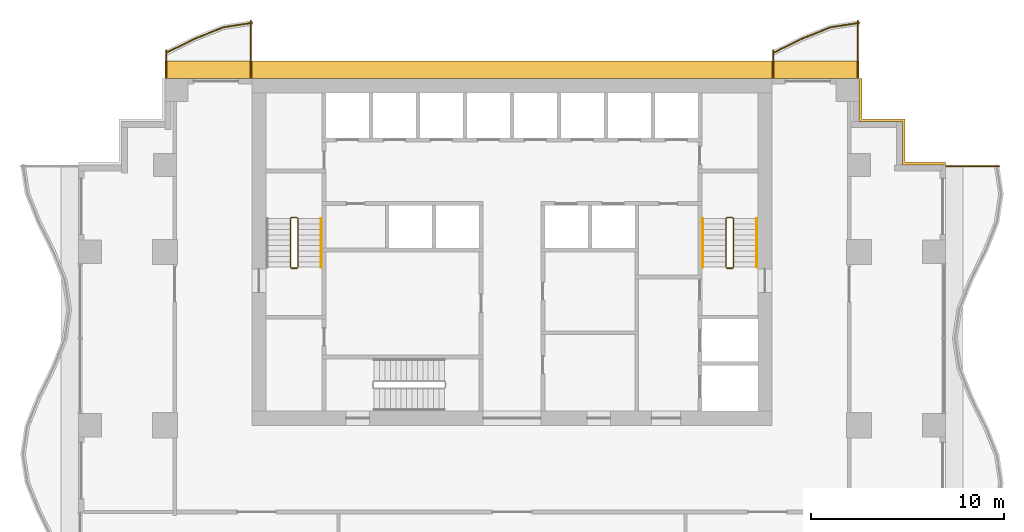
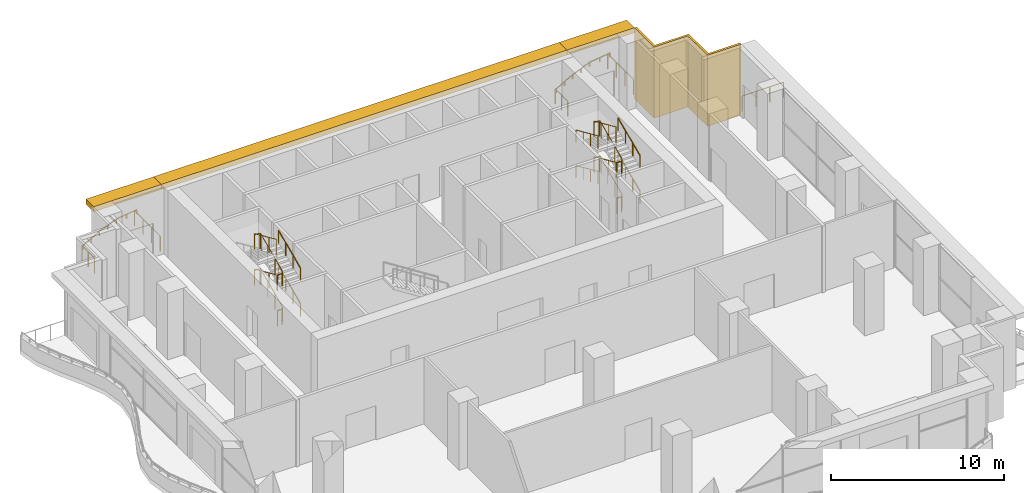
# One storey, part 14 of 14: 21 railings, 4 shading devices.
"""IFC4 building model written with IfcOpenShell, lengths in metres."""

from ifc_helpers import new_model, si_unit, direction, frame, origin, origin_2d, place, context, subcontext, project, spatial, polyline, rectangle, circle, outline, extrude, material, layer, layer_set, type_object, element, save


model = new_model("IFC4")

# Units and contexts
model_context = context("Model", 3, precision=1e-05, world=origin(), true_north=direction((0.0, 1.0)))
body_context = subcontext(model_context, "Body", "Model", "MODEL_VIEW")
ifc_project = project(units=[si_unit("LENGTHUNIT", "METRE"), si_unit("AREAUNIT", "SQUARE_METRE"), si_unit("VOLUMEUNIT", "CUBIC_METRE"), si_unit("PLANEANGLEUNIT", "RADIAN"), si_unit("MASSUNIT", "GRAM", prefix="KILO")], contexts=[model_context])

# Site, building, storey
site_placement = place(None, origin())
site = spatial("IfcSite", under=ifc_project, at=site_placement, CompositionType="ELEMENT")
building_placement = place(site_placement, origin())
building = spatial("IfcBuilding", under=site, at=building_placement, Name="Orbiselva Terraces", CompositionType="ELEMENT")
storey_placement = place(building_placement, frame((0.0, 0.0, 120.0)))
storey = spatial("IfcBuildingStorey", under=building, at=storey_placement, Name="L30", CompositionType="ELEMENT", Elevation=120.0)

# Railings
ifc_material_1 = material(Name="Stainless steel", Category="steel")
railing_type_1 = type_object("IfcRailingType", Name="CORE-GUARD-1100", PredefinedType="GUARDRAIL", material=ifc_material_1)
railing_1_placement = place(storey_placement, frame((-11.1, 12.7, 0.125)))
element("IfcRailing", 1, at=railing_1_placement, inside=storey, type_object=railing_type_1, Name="L30 S1 stair guard 1", PredefinedType="GUARDRAIL", context=body_context, shape_type="SweptSolid", body=[
    extrude(circle(Radius=0.024, at=origin_2d()), frame((0.0, 0.0, 1.081), z_axis=(0.0, 0.913137882438, 0.407650840374), x_axis=(-1.0, 0.0, 0.0)), (0.0, 0.0, 1.0), 2.759715),
    extrude(circle(Radius=0.024, at=origin_2d()), frame((0.0, 2.52, 2.206), z_axis=(-0.707106781187, 0.707106781187, 0.0), x_axis=(-0.707106781187, -0.707106781187, 0.0)), (0.0, 0.0, 1.0), 0.070711),
    extrude(circle(Radius=0.024, at=origin_2d()), frame((-0.05, 2.57, 2.206), z_axis=(-1.0, 0.0, 0.0), x_axis=(0.0, -1.0, 0.0)), (0.0, 0.0, 1.0), 0.3),
    extrude(circle(Radius=0.024, at=origin_2d()), frame((-0.35, 2.57, 2.206), z_axis=(-0.348155311911, -0.348155311911, 0.870388279778), x_axis=(0.707106781187, -0.707106781187, 0.0)), (0.0, 0.0, 1.0), 0.143614),
    extrude(circle(Radius=0.024, at=origin_2d()), frame((-0.4, 2.52, 2.331), z_axis=(0.0, -0.913137882438, 0.407650840374), x_axis=(1.0, 0.0, 0.0)), (0.0, 0.0, 1.0), 2.759715),
    extrude(circle(Radius=0.021, at=origin_2d()), origin(), (0.0, 0.0, 1.0), 1.057),
    extrude(circle(Radius=0.021, at=origin_2d()), frame((0.0, 0.84, 0.375)), (0.0, 0.0, 1.0), 1.057),
    extrude(circle(Radius=0.021, at=origin_2d()), frame((0.0, 1.68, 0.75)), (0.0, 0.0, 1.0), 1.057),
    extrude(circle(Radius=0.021, at=origin_2d()), frame((0.0, 2.52, 1.125)), (0.0, 0.0, 1.0), 1.057),
    extrude(circle(Radius=0.021, at=origin_2d()), frame((-0.05, 2.57, 1.125)), (0.0, 0.0, 1.0), 1.057),
    extrude(circle(Radius=0.021, at=origin_2d()), frame((-0.35, 2.57, 1.125)), (0.0, 0.0, 1.0), 1.057),
    extrude(circle(Radius=0.021, at=origin_2d()), frame((-0.4, 2.52, 1.25)), (0.0, 0.0, 1.0), 1.057),
    extrude(circle(Radius=0.021, at=origin_2d()), frame((-0.4, 1.68, 1.625)), (0.0, 0.0, 1.0), 1.057),
    extrude(circle(Radius=0.021, at=origin_2d()), frame((-0.4, 0.84, 2.0)), (0.0, 0.0, 1.0), 1.057),
    extrude(circle(Radius=0.021, at=origin_2d()), frame((-0.4, 0.0, 2.375)), (0.0, 0.0, 1.0), 1.057),
])
railing_2_placement = place(storey_placement, frame((-11.15, 12.65, 2.5)))
element("IfcRailing", 2, at=railing_2_placement, inside=storey, type_object=railing_type_1, Name="L30 S1 stair guard 2", PredefinedType="GUARDRAIL", context=body_context, shape_type="SweptSolid", body=[
    extrude(circle(Radius=0.024, at=origin_2d()), frame((0.0, 0.0, 1.081), z_axis=(-1.0, 0.0, 0.0), x_axis=(0.0, -1.0, 0.0)), (0.0, 0.0, 1.0), 0.3),
    extrude(circle(Radius=0.021, at=origin_2d()), origin(), (0.0, 0.0, 1.0), 1.057),
    extrude(circle(Radius=0.021, at=origin_2d()), frame((-0.3, 0.0, 0.0)), (0.0, 0.0, 1.0), 1.057),
])
railing_3_placement = place(storey_placement, frame((-11.1, 12.7, 2.625)))
element("IfcRailing", 3, at=railing_3_placement, inside=storey, type_object=railing_type_1, Name="L30 S1 stair guard 3", PredefinedType="GUARDRAIL", context=body_context, shape_type="SweptSolid", body=[
    extrude(circle(Radius=0.024, at=origin_2d()), frame((0.0, 0.0, 1.081), z_axis=(0.0, 0.913137882438, 0.407650840374), x_axis=(-1.0, 0.0, 0.0)), (0.0, 0.0, 1.0), 2.759715),
    extrude(circle(Radius=0.024, at=origin_2d()), frame((0.0, 2.52, 2.206), z_axis=(-0.707106781187, 0.707106781187, 0.0), x_axis=(-0.707106781187, -0.707106781187, 0.0)), (0.0, 0.0, 1.0), 0.070711),
    extrude(circle(Radius=0.024, at=origin_2d()), frame((-0.05, 2.57, 2.206), z_axis=(-1.0, 0.0, 0.0), x_axis=(0.0, -1.0, 0.0)), (0.0, 0.0, 1.0), 0.3),
    extrude(circle(Radius=0.024, at=origin_2d()), frame((-0.35, 2.57, 2.206), z_axis=(-0.348155311911, -0.348155311911, 0.870388279778), x_axis=(0.707106781187, -0.707106781187, 0.0)), (0.0, 0.0, 1.0), 0.143614),
    extrude(circle(Radius=0.024, at=origin_2d()), frame((-0.4, 2.52, 2.331), z_axis=(0.0, -0.913137882438, 0.407650840374), x_axis=(1.0, 0.0, 0.0)), (0.0, 0.0, 1.0), 2.759715),
    extrude(circle(Radius=0.021, at=origin_2d()), origin(), (0.0, 0.0, 1.0), 1.057),
    extrude(circle(Radius=0.021, at=origin_2d()), frame((0.0, 0.84, 0.375)), (0.0, 0.0, 1.0), 1.057),
    extrude(circle(Radius=0.021, at=origin_2d()), frame((0.0, 1.68, 0.75)), (0.0, 0.0, 1.0), 1.057),
    extrude(circle(Radius=0.021, at=origin_2d()), frame((0.0, 2.52, 1.125)), (0.0, 0.0, 1.0), 1.057),
    extrude(circle(Radius=0.021, at=origin_2d()), frame((-0.05, 2.57, 1.125)), (0.0, 0.0, 1.0), 1.057),
    extrude(circle(Radius=0.021, at=origin_2d()), frame((-0.35, 2.57, 1.125)), (0.0, 0.0, 1.0), 1.057),
    extrude(circle(Radius=0.021, at=origin_2d()), frame((-0.4, 2.52, 1.25)), (0.0, 0.0, 1.0), 1.057),
    extrude(circle(Radius=0.021, at=origin_2d()), frame((-0.4, 1.68, 1.625)), (0.0, 0.0, 1.0), 1.057),
    extrude(circle(Radius=0.021, at=origin_2d()), frame((-0.4, 0.84, 2.0)), (0.0, 0.0, 1.0), 1.057),
    extrude(circle(Radius=0.021, at=origin_2d()), frame((-0.4, 0.0, 2.375)), (0.0, 0.0, 1.0), 1.057),
])
railing_4_placement = place(storey_placement, frame((-11.15, 12.65, 0.0)))
element("IfcRailing", 4, at=railing_4_placement, inside=storey, type_object=railing_type_1, Name="L30 S1 stair guard 4", PredefinedType="GUARDRAIL", context=body_context, shape_type="SweptSolid", body=[
    extrude(circle(Radius=0.024, at=origin_2d()), frame((0.0, 0.0, 1.081), z_axis=(-1.0, 0.0, 0.0), x_axis=(0.0, -1.0, 0.0)), (0.0, 0.0, 1.0), 0.3),
    extrude(circle(Radius=0.021, at=origin_2d()), origin(), (0.0, 0.0, 1.0), 1.057),
    extrude(circle(Radius=0.021, at=origin_2d()), frame((-0.3, 0.0, 0.0)), (0.0, 0.0, 1.0), 1.057),
])
railing_5_placement = place(storey_placement, frame((11.5, 12.7, 0.125)))
element("IfcRailing", 5, at=railing_5_placement, inside=storey, type_object=railing_type_1, Name="L30 S2 stair guard 1", PredefinedType="GUARDRAIL", context=body_context, shape_type="SweptSolid", body=[
    extrude(circle(Radius=0.024, at=origin_2d()), frame((0.0, 0.0, 1.081), z_axis=(0.0, 0.913137882438, 0.407650840374), x_axis=(-1.0, 0.0, 0.0)), (0.0, 0.0, 1.0), 2.759715),
    extrude(circle(Radius=0.024, at=origin_2d()), frame((0.0, 2.52, 2.206), z_axis=(-0.707106781187, 0.707106781187, 0.0), x_axis=(-0.707106781187, -0.707106781187, 0.0)), (0.0, 0.0, 1.0), 0.070711),
    extrude(circle(Radius=0.024, at=origin_2d()), frame((-0.05, 2.57, 2.206), z_axis=(-1.0, 0.0, 0.0), x_axis=(0.0, -1.0, 0.0)), (0.0, 0.0, 1.0), 0.3),
    extrude(circle(Radius=0.024, at=origin_2d()), frame((-0.35, 2.57, 2.206), z_axis=(-0.348155311911, -0.348155311911, 0.870388279778), x_axis=(0.707106781187, -0.707106781187, 0.0)), (0.0, 0.0, 1.0), 0.143614),
    extrude(circle(Radius=0.024, at=origin_2d()), frame((-0.4, 2.52, 2.331), z_axis=(0.0, -0.913137882438, 0.407650840374), x_axis=(1.0, 0.0, 0.0)), (0.0, 0.0, 1.0), 2.759715),
    extrude(circle(Radius=0.021, at=origin_2d()), origin(), (0.0, 0.0, 1.0), 1.057),
    extrude(circle(Radius=0.021, at=origin_2d()), frame((0.0, 0.84, 0.375)), (0.0, 0.0, 1.0), 1.057),
    extrude(circle(Radius=0.021, at=origin_2d()), frame((0.0, 1.68, 0.75)), (0.0, 0.0, 1.0), 1.057),
    extrude(circle(Radius=0.021, at=origin_2d()), frame((0.0, 2.52, 1.125)), (0.0, 0.0, 1.0), 1.057),
    extrude(circle(Radius=0.021, at=origin_2d()), frame((-0.05, 2.57, 1.125)), (0.0, 0.0, 1.0), 1.057),
    extrude(circle(Radius=0.021, at=origin_2d()), frame((-0.35, 2.57, 1.125)), (0.0, 0.0, 1.0), 1.057),
    extrude(circle(Radius=0.021, at=origin_2d()), frame((-0.4, 2.52, 1.25)), (0.0, 0.0, 1.0), 1.057),
    extrude(circle(Radius=0.021, at=origin_2d()), frame((-0.4, 1.68, 1.625)), (0.0, 0.0, 1.0), 1.057),
    extrude(circle(Radius=0.021, at=origin_2d()), frame((-0.4, 0.84, 2.0)), (0.0, 0.0, 1.0), 1.057),
    extrude(circle(Radius=0.021, at=origin_2d()), frame((-0.4, 0.0, 2.375)), (0.0, 0.0, 1.0), 1.057),
])
railing_6_placement = place(storey_placement, frame((11.45, 12.65, 2.5)))
element("IfcRailing", 6, at=railing_6_placement, inside=storey, type_object=railing_type_1, Name="L30 S2 stair guard 2", PredefinedType="GUARDRAIL", context=body_context, shape_type="SweptSolid", body=[
    extrude(circle(Radius=0.024, at=origin_2d()), frame((0.0, 0.0, 1.081), z_axis=(-1.0, 0.0, 0.0), x_axis=(0.0, -1.0, 0.0)), (0.0, 0.0, 1.0), 0.3),
    extrude(circle(Radius=0.021, at=origin_2d()), origin(), (0.0, 0.0, 1.0), 1.057),
    extrude(circle(Radius=0.021, at=origin_2d()), frame((-0.3, 0.0, 0.0)), (0.0, 0.0, 1.0), 1.057),
])
railing_7_placement = place(storey_placement, frame((11.5, 12.7, 2.625)))
element("IfcRailing", 7, at=railing_7_placement, inside=storey, type_object=railing_type_1, Name="L30 S2 stair guard 3", PredefinedType="GUARDRAIL", context=body_context, shape_type="SweptSolid", body=[
    extrude(circle(Radius=0.024, at=origin_2d()), frame((0.0, 0.0, 1.081), z_axis=(0.0, 0.913137882438, 0.407650840374), x_axis=(-1.0, 0.0, 0.0)), (0.0, 0.0, 1.0), 2.759715),
    extrude(circle(Radius=0.024, at=origin_2d()), frame((0.0, 2.52, 2.206), z_axis=(-0.707106781187, 0.707106781187, 0.0), x_axis=(-0.707106781187, -0.707106781187, 0.0)), (0.0, 0.0, 1.0), 0.070711),
    extrude(circle(Radius=0.024, at=origin_2d()), frame((-0.05, 2.57, 2.206), z_axis=(-1.0, 0.0, 0.0), x_axis=(0.0, -1.0, 0.0)), (0.0, 0.0, 1.0), 0.3),
    extrude(circle(Radius=0.024, at=origin_2d()), frame((-0.35, 2.57, 2.206), z_axis=(-0.348155311911, -0.348155311911, 0.870388279778), x_axis=(0.707106781187, -0.707106781187, 0.0)), (0.0, 0.0, 1.0), 0.143614),
    extrude(circle(Radius=0.024, at=origin_2d()), frame((-0.4, 2.52, 2.331), z_axis=(0.0, -0.913137882438, 0.407650840374), x_axis=(1.0, 0.0, 0.0)), (0.0, 0.0, 1.0), 2.759715),
    extrude(circle(Radius=0.021, at=origin_2d()), origin(), (0.0, 0.0, 1.0), 1.057),
    extrude(circle(Radius=0.021, at=origin_2d()), frame((0.0, 0.84, 0.375)), (0.0, 0.0, 1.0), 1.057),
    extrude(circle(Radius=0.021, at=origin_2d()), frame((0.0, 1.68, 0.75)), (0.0, 0.0, 1.0), 1.057),
    extrude(circle(Radius=0.021, at=origin_2d()), frame((0.0, 2.52, 1.125)), (0.0, 0.0, 1.0), 1.057),
    extrude(circle(Radius=0.021, at=origin_2d()), frame((-0.05, 2.57, 1.125)), (0.0, 0.0, 1.0), 1.057),
    extrude(circle(Radius=0.021, at=origin_2d()), frame((-0.35, 2.57, 1.125)), (0.0, 0.0, 1.0), 1.057),
    extrude(circle(Radius=0.021, at=origin_2d()), frame((-0.4, 2.52, 1.25)), (0.0, 0.0, 1.0), 1.057),
    extrude(circle(Radius=0.021, at=origin_2d()), frame((-0.4, 1.68, 1.625)), (0.0, 0.0, 1.0), 1.057),
    extrude(circle(Radius=0.021, at=origin_2d()), frame((-0.4, 0.84, 2.0)), (0.0, 0.0, 1.0), 1.057),
    extrude(circle(Radius=0.021, at=origin_2d()), frame((-0.4, 0.0, 2.375)), (0.0, 0.0, 1.0), 1.057),
])
railing_8_placement = place(storey_placement, frame((11.45, 12.65, 0.0)))
element("IfcRailing", 8, at=railing_8_placement, inside=storey, type_object=railing_type_1, Name="L30 S2 stair guard 4", PredefinedType="GUARDRAIL", context=body_context, shape_type="SweptSolid", body=[
    extrude(circle(Radius=0.024, at=origin_2d()), frame((0.0, 0.0, 1.081), z_axis=(-1.0, 0.0, 0.0), x_axis=(0.0, -1.0, 0.0)), (0.0, 0.0, 1.0), 0.3),
    extrude(circle(Radius=0.021, at=origin_2d()), origin(), (0.0, 0.0, 1.0), 1.057),
    extrude(circle(Radius=0.021, at=origin_2d()), frame((-0.3, 0.0, 0.0)), (0.0, 0.0, 1.0), 1.057),
])
railing_type_2 = type_object("IfcRailingType", Name="CORE-HANDRAIL-900", PredefinedType="HANDRAIL", material=ifc_material_1)
for number, where, name in (
    (9, (-9.9, 12.7, 0.125), "L30 S1 stair handrail 1"),
    (10, (-9.9, 12.7, 2.625), "L30 S1 stair handrail 3"),
    (11, (12.7, 12.7, 0.125), "L30 S2 stair handrail 1"),
):
    element("IfcRailing", number, at=place(storey_placement, frame(where)), inside=storey, type_object=railing_type_2, Name=name, PredefinedType="HANDRAIL", context=body_context, shape_type="SweptSolid", body=[
        extrude(circle(Radius=0.024, at=origin_2d()), frame((0.0, 0.0, 0.876), z_axis=(0.0, 0.913137882438, 0.407650840374), x_axis=(-1.0, 0.0, 0.0)), (0.0, 0.0, 1.0), 2.759715),
        extrude(circle(Radius=0.021, at=origin_2d()), origin(), (0.0, 0.0, 1.0), 0.852),
        extrude(circle(Radius=0.021, at=origin_2d()), frame((0.0, 0.84, 0.375)), (0.0, 0.0, 1.0), 0.852),
        extrude(circle(Radius=0.021, at=origin_2d()), frame((0.0, 1.68, 0.75)), (0.0, 0.0, 1.0), 0.852),
        extrude(circle(Radius=0.021, at=origin_2d()), frame((0.0, 2.52, 1.125)), (0.0, 0.0, 1.0), 0.852),
    ])
railing_9_placement = place(storey_placement, frame((9.9, 15.22, 1.375)))
element("IfcRailing", 12, at=railing_9_placement, inside=storey, type_object=railing_type_2, Name="L30 S2 stair handrail 2", PredefinedType="HANDRAIL", context=body_context, shape_type="SweptSolid", body=[
    extrude(circle(Radius=0.024, at=origin_2d()), frame((0.0, 0.0, 0.876), z_axis=(0.0, -0.913137882438, 0.407650840374), x_axis=(1.0, 0.0, 0.0)), (0.0, 0.0, 1.0), 2.759715),
    extrude(circle(Radius=0.021, at=origin_2d()), origin(), (0.0, 0.0, 1.0), 0.852),
    extrude(circle(Radius=0.021, at=origin_2d()), frame((0.0, -0.84, 0.375)), (0.0, 0.0, 1.0), 0.852),
    extrude(circle(Radius=0.021, at=origin_2d()), frame((0.0, -1.68, 0.75)), (0.0, 0.0, 1.0), 0.852),
    extrude(circle(Radius=0.021, at=origin_2d()), frame((0.0, -2.52, 1.125)), (0.0, 0.0, 1.0), 0.852),
])
railing_10_placement = place(storey_placement, frame((12.7, 12.7, 2.625)))
element("IfcRailing", 13, at=railing_10_placement, inside=storey, type_object=railing_type_2, Name="L30 S2 stair handrail 3", PredefinedType="HANDRAIL", context=body_context, shape_type="SweptSolid", body=[
    extrude(circle(Radius=0.024, at=origin_2d()), frame((0.0, 0.0, 0.876), z_axis=(0.0, 0.913137882438, 0.407650840374), x_axis=(-1.0, 0.0, 0.0)), (0.0, 0.0, 1.0), 2.759715),
    extrude(circle(Radius=0.021, at=origin_2d()), origin(), (0.0, 0.0, 1.0), 0.852),
    extrude(circle(Radius=0.021, at=origin_2d()), frame((0.0, 0.84, 0.375)), (0.0, 0.0, 1.0), 0.852),
    extrude(circle(Radius=0.021, at=origin_2d()), frame((0.0, 1.68, 0.75)), (0.0, 0.0, 1.0), 0.852),
    extrude(circle(Radius=0.021, at=origin_2d()), frame((0.0, 2.52, 1.125)), (0.0, 0.0, 1.0), 0.852),
])
railing_11_placement = place(storey_placement, frame((9.9, 15.22, 3.875)))
element("IfcRailing", 14, at=railing_11_placement, inside=storey, type_object=railing_type_2, Name="L30 S2 stair handrail 4", PredefinedType="HANDRAIL", context=body_context, shape_type="SweptSolid", body=[
    extrude(circle(Radius=0.024, at=origin_2d()), frame((0.0, 0.0, 0.876), z_axis=(0.0, -0.913137882438, 0.407650840374), x_axis=(1.0, 0.0, 0.0)), (0.0, 0.0, 1.0), 2.759715),
    extrude(circle(Radius=0.021, at=origin_2d()), origin(), (0.0, 0.0, 1.0), 0.852),
    extrude(circle(Radius=0.021, at=origin_2d()), frame((0.0, -0.84, 0.375)), (0.0, 0.0, 1.0), 0.852),
    extrude(circle(Radius=0.021, at=origin_2d()), frame((0.0, -1.68, 0.75)), (0.0, 0.0, 1.0), 0.852),
    extrude(circle(Radius=0.021, at=origin_2d()), frame((0.0, -2.52, 1.125)), (0.0, 0.0, 1.0), 0.852),
])
ifc_material_2 = material(Name="Bonded two-ply safety glass balustrade, stainless steel posts", Category="steel")
railing_type_3 = type_object("IfcRailingType", Name="ENV-BALUSTRADE-1200", PredefinedType="BALUSTRADE", material=ifc_material_2)
railing_12_placement = place(storey_placement, frame((18.018879, 25.376434, 0.9)))
element("IfcRailing", 15, at=railing_12_placement, inside=storey, type_object=railing_type_3, Name="Balcony balustrade L30 NE", PredefinedType="BALUSTRADE", context=body_context, shape_type="SweptSolid", body=[
    extrude(outline(polyline([(0.028868, 0.0), (0.014434, 0.025), (-0.014434, 0.025), (-0.028868, 0.0), (-0.014434, -0.025), (0.014434, -0.025), (0.028868, 0.0)])), frame((0.0, 0.0, 0.275), z_axis=(-0.988528552748, -0.151034103443, 0.0), x_axis=(0.151034103443, -0.988528552748, 0.0)), (0.0, 0.0, 1.0), 1.503038),
    extrude(outline(polyline([(0.028868, 0.0), (0.014434, 0.025), (-0.014434, 0.025), (-0.028868, 0.0), (-0.014434, -0.025), (0.014434, -0.025), (0.028868, 0.0)])), frame((-1.485796, -0.22701, 0.275), z_axis=(-0.928476561272, -0.371391000387, 0.0), x_axis=(0.371391000387, -0.928476561272, 0.0)), (0.0, 0.0, 1.0), 1.596261),
    extrude(outline(polyline([(0.028868, 0.0), (0.014434, 0.025), (-0.014434, 0.025), (-0.028868, 0.0), (-0.014434, -0.025), (0.014434, -0.025), (0.028868, 0.0)])), frame((-2.967887, -0.819847, 0.275), z_axis=(-0.89641681019, -0.443212028728, 0.0), x_axis=(0.443212028728, -0.89641681019, 0.0)), (0.0, 0.0, 1.0), 1.668409),
    extrude(rectangle(XDim=0.05, YDim=0.05, at=origin_2d()), origin(), (0.0, 0.0, 1.0), 0.25),
    extrude(rectangle(XDim=0.05, YDim=0.05, at=origin_2d()), frame((-0.742898, -0.113505, 0.0)), (0.0, 0.0, 1.0), 0.25),
    extrude(rectangle(XDim=0.05, YDim=0.05, at=origin_2d()), frame((-1.485796, -0.22701, 0.0)), (0.0, 0.0, 1.0), 0.25),
    extrude(rectangle(XDim=0.05, YDim=0.05, at=origin_2d()), frame((-2.226841, -0.523428, 0.0)), (0.0, 0.0, 1.0), 0.25),
    extrude(rectangle(XDim=0.05, YDim=0.05, at=origin_2d()), frame((-2.967887, -0.819847, 0.0)), (0.0, 0.0, 1.0), 0.25),
    extrude(rectangle(XDim=0.05, YDim=0.05, at=origin_2d()), frame((-3.715682, -1.189576, 0.0)), (0.0, 0.0, 1.0), 0.25),
    extrude(rectangle(XDim=0.05, YDim=0.05, at=origin_2d()), frame((-4.463477, -1.559306, 0.0)), (0.0, 0.0, 1.0), 0.25),
])
railing_13_placement = place(storey_placement, frame((-13.481121, 25.376434, 0.9)))
element("IfcRailing", 16, at=railing_13_placement, inside=storey, type_object=railing_type_3, Name="Balcony balustrade L30 NW", PredefinedType="BALUSTRADE", context=body_context, shape_type="SweptSolid", body=[
    extrude(outline(polyline([(0.028868, 0.0), (0.014434, 0.025), (-0.014434, 0.025), (-0.028868, 0.0), (-0.014434, -0.025), (0.014434, -0.025), (0.028868, 0.0)])), frame((0.0, 0.0, 0.275), z_axis=(-0.988528552748, -0.151034103443, 0.0), x_axis=(0.151034103443, -0.988528552748, 0.0)), (0.0, 0.0, 1.0), 1.503038),
    extrude(outline(polyline([(0.028868, 0.0), (0.014434, 0.025), (-0.014434, 0.025), (-0.028868, 0.0), (-0.014434, -0.025), (0.014434, -0.025), (0.028868, 0.0)])), frame((-1.485796, -0.22701, 0.275), z_axis=(-0.928476561272, -0.371391000387, 0.0), x_axis=(0.371391000387, -0.928476561272, 0.0)), (0.0, 0.0, 1.0), 1.596261),
    extrude(outline(polyline([(0.028868, 0.0), (0.014434, 0.025), (-0.014434, 0.025), (-0.028868, 0.0), (-0.014434, -0.025), (0.014434, -0.025), (0.028868, 0.0)])), frame((-2.967887, -0.819847, 0.275), z_axis=(-0.89641681019, -0.443212028728, 0.0), x_axis=(0.443212028728, -0.89641681019, 0.0)), (0.0, 0.0, 1.0), 1.668409),
    extrude(rectangle(XDim=0.05, YDim=0.05, at=origin_2d()), origin(), (0.0, 0.0, 1.0), 0.25),
    extrude(rectangle(XDim=0.05, YDim=0.05, at=origin_2d()), frame((-0.742898, -0.113505, 0.0)), (0.0, 0.0, 1.0), 0.25),
    extrude(rectangle(XDim=0.05, YDim=0.05, at=origin_2d()), frame((-1.485796, -0.22701, 0.0)), (0.0, 0.0, 1.0), 0.25),
    extrude(rectangle(XDim=0.05, YDim=0.05, at=origin_2d()), frame((-2.226842, -0.523428, 0.0)), (0.0, 0.0, 1.0), 0.25),
    extrude(rectangle(XDim=0.05, YDim=0.05, at=origin_2d()), frame((-2.967887, -0.819847, 0.0)), (0.0, 0.0, 1.0), 0.25),
    extrude(rectangle(XDim=0.05, YDim=0.05, at=origin_2d()), frame((-3.715682, -1.189576, 0.0)), (0.0, 0.0, 1.0), 0.25),
    extrude(rectangle(XDim=0.05, YDim=0.05, at=origin_2d()), frame((-4.463477, -1.559306, 0.0)), (0.0, 0.0, 1.0), 0.25),
])
ifc_material_3 = material(Name="Stainless steel rail and posts", Category="steel")
railing_type_4 = type_object("IfcRailingType", Name="ENV-GUARD-1105", PredefinedType="BALUSTRADE", material=ifc_material_3)
railing_14_placement = place(storey_placement, frame((25.288239, 17.94, 0.0)))
element("IfcRailing", 17, at=railing_14_placement, inside=storey, type_object=railing_type_4, Name="Balcony end guard L30 E", PredefinedType="BALUSTRADE", context=body_context, shape_type="SweptSolid", body=[
    extrude(outline(polyline([(0.028868, 0.0), (0.014434, 0.025), (-0.014434, 0.025), (-0.028868, 0.0), (-0.014434, -0.025), (0.014434, -0.025), (0.028868, 0.0)])), frame((0.0, 0.0, 1.08), z_axis=(-1.0, 0.0, 0.0), x_axis=(0.0, -1.0, 0.0)), (0.0, 0.0, 1.0), 2.763239),
    extrude(rectangle(XDim=0.05, YDim=0.05, at=origin_2d()), origin(), (0.0, 0.0, 1.0), 1.055),
    extrude(rectangle(XDim=0.05, YDim=0.05, at=origin_2d()), frame((-0.92108, 0.0, 0.0)), (0.0, 0.0, 1.0), 1.055),
    extrude(rectangle(XDim=0.05, YDim=0.05, at=origin_2d()), frame((-1.842159, 0.0, 0.0)), (0.0, 0.0, 1.0), 1.055),
    extrude(rectangle(XDim=0.05, YDim=0.05, at=origin_2d()), frame((-2.763239, 0.0, 0.0)), (0.0, 0.0, 1.0), 1.055),
])
railing_15_placement = place(storey_placement, frame((17.94, 25.499621, 0.0)))
element("IfcRailing", 18, at=railing_15_placement, inside=storey, type_object=railing_type_4, Name="Balcony end guard L30 NE", PredefinedType="BALUSTRADE", context=body_context, shape_type="SweptSolid", body=[
    extrude(outline(polyline([(0.028868, 0.0), (0.014434, 0.025), (-0.014434, 0.025), (-0.028868, 0.0), (-0.014434, -0.025), (0.014434, -0.025), (0.028868, 0.0)])), frame((0.0, 0.0, 1.08), z_axis=(0.0, -1.0, 0.0), x_axis=(1.0, 0.0, 0.0)), (0.0, 0.0, 1.0), 2.974621),
    extrude(rectangle(XDim=0.05, YDim=0.05, at=origin_2d()), origin(), (0.0, 0.0, 1.0), 1.055),
    extrude(rectangle(XDim=0.05, YDim=0.05, at=origin_2d()), frame((0.0, -0.99154, 0.0)), (0.0, 0.0, 1.0), 1.055),
    extrude(rectangle(XDim=0.05, YDim=0.05, at=origin_2d()), frame((0.0, -1.983081, 0.0)), (0.0, 0.0, 1.0), 1.055),
    extrude(rectangle(XDim=0.05, YDim=0.05, at=origin_2d()), frame((0.0, -2.974621, 0.0)), (0.0, 0.0, 1.0), 1.055),
])
railing_16_placement = place(storey_placement, frame((13.56, 23.957977, 0.0)))
element("IfcRailing", 19, at=railing_16_placement, inside=storey, type_object=railing_type_4, Name="Balcony end guard L30 NE", PredefinedType="BALUSTRADE", context=body_context, shape_type="SweptSolid", body=[
    extrude(outline(polyline([(0.028868, 0.0), (0.014434, 0.025), (-0.014434, 0.025), (-0.028868, 0.0), (-0.014434, -0.025), (0.014434, -0.025), (0.028868, 0.0)])), frame((0.0, 0.0, 1.08), z_axis=(0.0, -1.0, 0.0), x_axis=(1.0, 0.0, 0.0)), (0.0, 0.0, 1.0), 1.432977),
    extrude(rectangle(XDim=0.05, YDim=0.05, at=origin_2d()), origin(), (0.0, 0.0, 1.0), 1.055),
    extrude(rectangle(XDim=0.05, YDim=0.05, at=origin_2d()), frame((0.0, -0.716489, 0.0)), (0.0, 0.0, 1.0), 1.055),
    extrude(rectangle(XDim=0.05, YDim=0.05, at=origin_2d()), frame((0.0, -1.432977, 0.0)), (0.0, 0.0, 1.0), 1.055),
])
railing_17_placement = place(storey_placement, frame((-13.56, 25.499621, 0.0)))
element("IfcRailing", 20, at=railing_17_placement, inside=storey, type_object=railing_type_4, Name="Balcony end guard L30 NW", PredefinedType="BALUSTRADE", context=body_context, shape_type="SweptSolid", body=[
    extrude(outline(polyline([(0.028868, 0.0), (0.014434, 0.025), (-0.014434, 0.025), (-0.028868, 0.0), (-0.014434, -0.025), (0.014434, -0.025), (0.028868, 0.0)])), frame((0.0, 0.0, 1.08), z_axis=(0.0, -1.0, 0.0), x_axis=(1.0, 0.0, 0.0)), (0.0, 0.0, 1.0), 2.974621),
    extrude(rectangle(XDim=0.05, YDim=0.05, at=origin_2d()), origin(), (0.0, 0.0, 1.0), 1.055),
    extrude(rectangle(XDim=0.05, YDim=0.05, at=origin_2d()), frame((0.0, -0.99154, 0.0)), (0.0, 0.0, 1.0), 1.055),
    extrude(rectangle(XDim=0.05, YDim=0.05, at=origin_2d()), frame((0.0, -1.983081, 0.0)), (0.0, 0.0, 1.0), 1.055),
    extrude(rectangle(XDim=0.05, YDim=0.05, at=origin_2d()), frame((0.0, -2.974621, 0.0)), (0.0, 0.0, 1.0), 1.055),
])
railing_18_placement = place(storey_placement, frame((-17.94, 23.957977, 0.0)))
element("IfcRailing", 21, at=railing_18_placement, inside=storey, type_object=railing_type_4, Name="Balcony end guard L30 NW", PredefinedType="BALUSTRADE", context=body_context, shape_type="SweptSolid", body=[
    extrude(outline(polyline([(0.028868, 0.0), (0.014434, 0.025), (-0.014434, 0.025), (-0.028868, 0.0), (-0.014434, -0.025), (0.014434, -0.025), (0.028868, 0.0)])), frame((0.0, 0.0, 1.08), z_axis=(0.0, -1.0, 0.0), x_axis=(1.0, 0.0, 0.0)), (0.0, 0.0, 1.0), 1.432977),
    extrude(rectangle(XDim=0.05, YDim=0.05, at=origin_2d()), origin(), (0.0, 0.0, 1.0), 1.055),
    extrude(rectangle(XDim=0.05, YDim=0.05, at=origin_2d()), frame((0.0, -0.716489, 0.0)), (0.0, 0.0, 1.0), 1.055),
    extrude(rectangle(XDim=0.05, YDim=0.05, at=origin_2d()), frame((0.0, -1.432977, 0.0)), (0.0, 0.0, 1.0), 1.055),
])

# Shading devices
ifc_material_4 = material(Name="Terracotta louvre screen", Category="masonry")
ifc_layer_1 = layer(ifc_material_4, 0.15)
ifc_layer_set_1 = layer_set([ifc_layer_1], Name="Terracotta louvre screen")
shading_device_type_1 = type_object("IfcShadingDeviceType", Name="ENV-SCREEN-150", PredefinedType="USERDEFINED", material=ifc_layer_set_1)
shading_device_1_placement = place(storey_placement, frame((0.0, 0.0, -0.3)))
element("IfcShadingDevice", 22, at=shading_device_1_placement, inside=storey, type_object=shading_device_type_1, Name="Louvre screen L30 NE", ObjectType="SCREEN", PredefinedType="USERDEFINED", context=body_context, shape_type="SweptSolid", body=[
    extrude(outline(polyline([(22.5, 18.15), (20.4, 18.15), (20.4, 20.4), (18.15, 20.4), (18.15, 22.5), (18.0, 22.5), (18.0, 20.25), (20.25, 20.25), (20.25, 18.0), (22.5, 18.0), (22.5, 18.15)])), origin(), (0.0, 0.0, 1.0), 5.0),
])
ifc_material_5 = material(Name="Terracotta baguette sunshade", Category="masonry")
ifc_layer_2 = layer(ifc_material_5, 0.35)
ifc_layer_set_2 = layer_set([ifc_layer_2], Name="Terracotta baguette sunshade")
shading_device_type_2 = type_object("IfcShadingDeviceType", Name="ENV-SUNSHADE-900x350", PredefinedType="USERDEFINED", material=ifc_layer_set_2)
shading_device_2_placement = place(storey_placement, frame((0.0, 0.0, 4.35)))
element("IfcShadingDevice", 23, at=shading_device_2_placement, inside=storey, type_object=shading_device_type_2, Name="Sunshade band L30 NE", ObjectType="SUNSHADE", PredefinedType="USERDEFINED", context=body_context, shape_type="SweptSolid", body=[
    extrude(outline(polyline([(18.0, 23.4), (13.5, 23.4), (13.5, 22.5), (18.0, 22.5), (18.0, 23.4)])), origin(), (0.0, 0.0, 1.0), 0.35),
])
shading_device_3_placement = place(storey_placement, frame((0.0, 0.0, 4.35)))
element("IfcShadingDevice", 24, at=shading_device_3_placement, inside=storey, type_object=shading_device_type_2, Name="Sunshade band L30 CORE NORTH", ObjectType="SUNSHADE", PredefinedType="USERDEFINED", context=body_context, shape_type="SweptSolid", body=[
    extrude(outline(polyline([(13.5, 23.4), (-13.5, 23.4), (-13.5, 22.5), (13.5, 22.5), (13.5, 23.4)])), origin(), (0.0, 0.0, 1.0), 0.35),
])
shading_device_4_placement = place(storey_placement, frame((0.0, 0.0, 4.35)))
element("IfcShadingDevice", 25, at=shading_device_4_placement, inside=storey, type_object=shading_device_type_2, Name="Sunshade band L30 NW", ObjectType="SUNSHADE", PredefinedType="USERDEFINED", context=body_context, shape_type="SweptSolid", body=[
    extrude(outline(polyline([(-13.5, 23.4), (-18.0, 23.4), (-18.0, 22.5), (-13.5, 22.5), (-13.5, 23.4)])), origin(), (0.0, 0.0, 1.0), 0.35),
])

save(model, "model.ifc")
